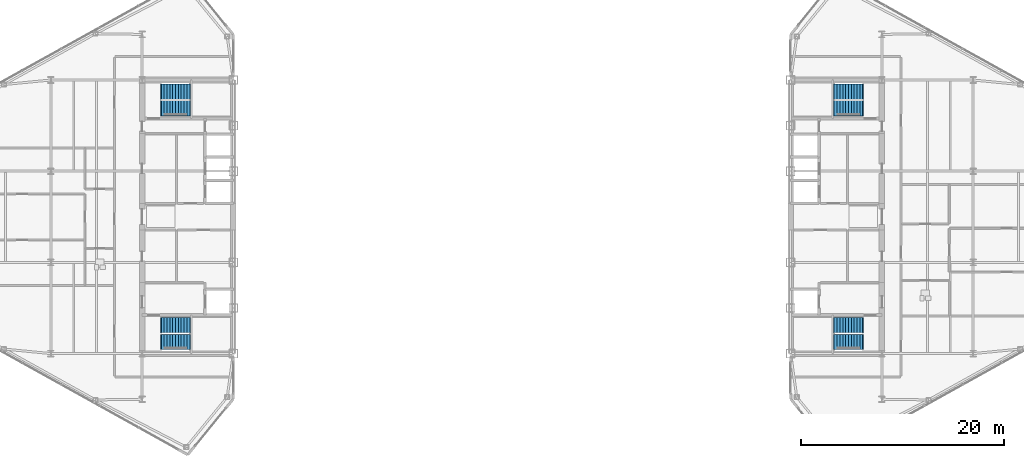
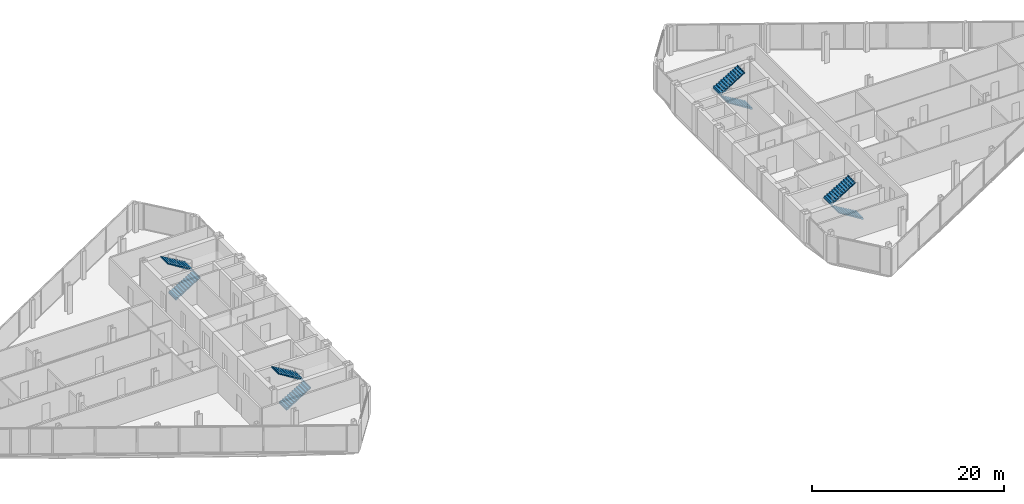
# One storey, part 23 of 25: 8 stair flights, 4 elements without a shape of their own.
"""IFC4 building model written with IfcOpenShell, lengths in metres."""

from ifc_helpers import new_model, si_unit, direction, frame, origin, place, context, subcontext, project, spatial, polyline, outline, extrude, material, type_object, element, aggregate, save


model = new_model("IFC4")

# Units and contexts
model_context = context("Model", 3, precision=1e-05, world=origin(), true_north=direction((0.0, 1.0)))
body_context = subcontext(model_context, "Body", "Model", "MODEL_VIEW")
ifc_project = project(units=[si_unit("LENGTHUNIT", "METRE"), si_unit("AREAUNIT", "SQUARE_METRE"), si_unit("VOLUMEUNIT", "CUBIC_METRE"), si_unit("PLANEANGLEUNIT", "RADIAN"), si_unit("MASSUNIT", "GRAM", prefix="KILO")], contexts=[model_context])

# Site, building, storey
site_placement = place(None, origin())
site = spatial("IfcSite", under=ifc_project, at=site_placement, CompositionType="ELEMENT")
building_placement = place(site_placement, origin())
building = spatial("IfcBuilding", under=site, at=building_placement, Name="Seokmaru Belvedere", CompositionType="ELEMENT")
storey_placement = place(building_placement, frame((0.0, 0.0, 188.699951171875)))
storey = spatial("IfcBuildingStorey", under=building, at=storey_placement, Name="L50", CompositionType="ELEMENT", Elevation=188.699951171875)

# Stair, stair flights
ifc_material = material(Name="Concrete C40 (40 MPa)", Category="concrete")
stair_type = type_object("IfcStairType", Name="Typical Tower Core Dog-Leg Stair 3600", PredefinedType="TWO_STRAIGHT_RUN_STAIR", material=ifc_material)
stair_1_placement = place(storey_placement, origin())
stair_1 = element("IfcStair", 1, at=stair_1_placement, inside=storey, type_object=stair_type, Name="L50 Special Escape Stair ST-W1", PredefinedType="TWO_STRAIGHT_RUN_STAIR")
stair_flight_type = type_object("IfcStairFlightType", Name="Reinforced Concrete Stair Flight 1500", PredefinedType="STRAIGHT", material=ifc_material)
stair_flight_1_placement = place(storey_placement, frame((-34.60009765625, -12.35009765625, 0.0), z_axis=(0.0, 0.0, 1.0), x_axis=(1.0, 0.0, 0.0)))
stair_flight_1 = element("IfcStairFlight", 2, at=stair_flight_1_placement, type_object=stair_flight_type, Name="ST-W1 flight 1", NumberOfRisers=11, NumberOfTreads=10, PredefinedType="STRAIGHT", RiserHeight=0.163636364, TreadLength=0.28, context=body_context, shape_type="SweptSolid", body=[
    extrude(outline(polyline([(-0.080078125, 0.0), (0.0, 0.16357421875), (0.280029296875, 0.16357421875), (0.280029296875, 0.327392578125), (0.56005859375, 0.327392578125), (0.56005859375, 0.490966796875), (0.840087890625, 0.490966796875), (0.840087890625, 0.654541015625), (1.1201171875, 0.654541015625), (1.1201171875, 0.818115234375), (1.39990234375, 0.818115234375), (1.39990234375, 0.98193359375), (1.679931640625, 0.98193359375), (1.679931640625, 1.1455078125), (1.9599609375, 1.1455078125), (1.9599609375, 1.30908203125), (2.239990234375, 1.30908203125), (2.239990234375, 1.47265625), (2.52001953125, 1.47265625), (2.52001953125, 1.636474609375), (2.800048828125, 1.636474609375), (2.800048828125, 1.800048828125), (2.8798828125, 1.800048828125), (2.8798828125, 1.610107421875), (2.800048828125, 1.610107421875), (0.0, -0.159912109375), (-0.080078125, -0.159912109375), (-0.080078125, 0.0)])), frame((0.0, 0.75, 0.0), z_axis=(0.0, -1.0, 0.0), x_axis=(1.0, 0.0, 0.0)), (0.0, 0.0, 1.0), 1.5),
])
stair_flight_2_placement = place(storey_placement, frame((-31.800048828125, -10.7099609375, 1.800048828125), z_axis=(0.0, 0.0, 1.0), x_axis=(-1.0, 0.0, 0.0)))
stair_flight_2 = element("IfcStairFlight", 3, at=stair_flight_2_placement, type_object=stair_flight_type, Name="ST-W1 flight 2", NumberOfRisers=11, NumberOfTreads=10, PredefinedType="STRAIGHT", RiserHeight=0.163636364, TreadLength=0.28, context=body_context, shape_type="SweptSolid", body=[
    extrude(outline(polyline([(-0.080078125, 0.0), (0.0, 0.16357421875), (0.280029296875, 0.16357421875), (0.280029296875, 0.327392578125), (0.56005859375, 0.327392578125), (0.56005859375, 0.490966796875), (0.840087890625, 0.490966796875), (0.840087890625, 0.654541015625), (1.1201171875, 0.654541015625), (1.1201171875, 0.818115234375), (1.39990234375, 0.818115234375), (1.39990234375, 0.98193359375), (1.679931640625, 0.98193359375), (1.679931640625, 1.1455078125), (1.9599609375, 1.1455078125), (1.9599609375, 1.30908203125), (2.239990234375, 1.30908203125), (2.239990234375, 1.47265625), (2.52001953125, 1.47265625), (2.52001953125, 1.636474609375), (2.800048828125, 1.636474609375), (2.800048828125, 1.800048828125), (2.8798828125, 1.800048828125), (2.8798828125, 1.610107421875), (2.800048828125, 1.610107421875), (0.0, -0.159912109375), (-0.080078125, -0.159912109375), (-0.080078125, 0.0)])), frame((0.0, 0.75, 0.0), z_axis=(0.0, -1.0, 0.0), x_axis=(1.0, 0.0, 0.0)), (0.0, 0.0, 1.0), 1.5),
])
aggregate(stair_1, [stair_flight_1, stair_flight_2])

stair_2_placement = place(storey_placement, origin())
stair_2 = element("IfcStair", 4, at=stair_2_placement, inside=storey, type_object=stair_type, Name="L50 Special Escape Stair ST-W2", PredefinedType="TWO_STRAIGHT_RUN_STAIR")
stair_flight_3_placement = place(storey_placement, frame((-34.60009765625, 10.7099609375, 0.0), z_axis=(0.0, 0.0, 1.0), x_axis=(1.0, 0.0, 0.0)))
stair_flight_3 = element("IfcStairFlight", 5, at=stair_flight_3_placement, type_object=stair_flight_type, Name="ST-W2 flight 1", NumberOfRisers=11, NumberOfTreads=10, PredefinedType="STRAIGHT", RiserHeight=0.163636364, TreadLength=0.28, context=body_context, shape_type="SweptSolid", body=[
    extrude(outline(polyline([(-0.080078125, 0.0), (0.0, 0.16357421875), (0.280029296875, 0.16357421875), (0.280029296875, 0.327392578125), (0.56005859375, 0.327392578125), (0.56005859375, 0.490966796875), (0.840087890625, 0.490966796875), (0.840087890625, 0.654541015625), (1.1201171875, 0.654541015625), (1.1201171875, 0.818115234375), (1.39990234375, 0.818115234375), (1.39990234375, 0.98193359375), (1.679931640625, 0.98193359375), (1.679931640625, 1.1455078125), (1.9599609375, 1.1455078125), (1.9599609375, 1.30908203125), (2.239990234375, 1.30908203125), (2.239990234375, 1.47265625), (2.52001953125, 1.47265625), (2.52001953125, 1.636474609375), (2.800048828125, 1.636474609375), (2.800048828125, 1.800048828125), (2.8798828125, 1.800048828125), (2.8798828125, 1.610107421875), (2.800048828125, 1.610107421875), (0.0, -0.159912109375), (-0.080078125, -0.159912109375), (-0.080078125, 0.0)])), frame((0.0, 0.75, 0.0), z_axis=(0.0, -1.0, 0.0), x_axis=(1.0, 0.0, 0.0)), (0.0, 0.0, 1.0), 1.5),
])
stair_flight_4_placement = place(storey_placement, frame((-31.800048828125, 12.35009765625, 1.800048828125), z_axis=(0.0, 0.0, 1.0), x_axis=(-1.0, 0.0, 0.0)))
stair_flight_4 = element("IfcStairFlight", 6, at=stair_flight_4_placement, type_object=stair_flight_type, Name="ST-W2 flight 2", NumberOfRisers=11, NumberOfTreads=10, PredefinedType="STRAIGHT", RiserHeight=0.163636364, TreadLength=0.28, context=body_context, shape_type="SweptSolid", body=[
    extrude(outline(polyline([(-0.080078125, 0.0), (0.0, 0.16357421875), (0.280029296875, 0.16357421875), (0.280029296875, 0.327392578125), (0.56005859375, 0.327392578125), (0.56005859375, 0.490966796875), (0.840087890625, 0.490966796875), (0.840087890625, 0.654541015625), (1.1201171875, 0.654541015625), (1.1201171875, 0.818115234375), (1.39990234375, 0.818115234375), (1.39990234375, 0.98193359375), (1.679931640625, 0.98193359375), (1.679931640625, 1.1455078125), (1.9599609375, 1.1455078125), (1.9599609375, 1.30908203125), (2.239990234375, 1.30908203125), (2.239990234375, 1.47265625), (2.52001953125, 1.47265625), (2.52001953125, 1.636474609375), (2.800048828125, 1.636474609375), (2.800048828125, 1.800048828125), (2.8798828125, 1.800048828125), (2.8798828125, 1.610107421875), (2.800048828125, 1.610107421875), (0.0, -0.159912109375), (-0.080078125, -0.159912109375), (-0.080078125, 0.0)])), frame((0.0, 0.75, 0.0), z_axis=(0.0, -1.0, 0.0), x_axis=(1.0, 0.0, 0.0)), (0.0, 0.0, 1.0), 1.5),
])
aggregate(stair_2, [stair_flight_3, stair_flight_4])

stair_3_placement = place(storey_placement, origin())
stair_3 = element("IfcStair", 7, at=stair_3_placement, inside=storey, type_object=stair_type, Name="L50 Special Escape Stair ST-E1", PredefinedType="TWO_STRAIGHT_RUN_STAIR")
stair_flight_5_placement = place(storey_placement, frame((34.60009765625, -12.35009765625, 0.0), z_axis=(0.0, 0.0, 1.0), x_axis=(-1.0, 0.0, 0.0)))
stair_flight_5 = element("IfcStairFlight", 8, at=stair_flight_5_placement, type_object=stair_flight_type, Name="ST-E1 flight 1", NumberOfRisers=11, NumberOfTreads=10, PredefinedType="STRAIGHT", RiserHeight=0.163636364, TreadLength=0.28, context=body_context, shape_type="SweptSolid", body=[
    extrude(outline(polyline([(-0.080078125, 0.0), (0.0, 0.16357421875), (0.280029296875, 0.16357421875), (0.280029296875, 0.327392578125), (0.56005859375, 0.327392578125), (0.56005859375, 0.490966796875), (0.840087890625, 0.490966796875), (0.840087890625, 0.654541015625), (1.1201171875, 0.654541015625), (1.1201171875, 0.818115234375), (1.39990234375, 0.818115234375), (1.39990234375, 0.98193359375), (1.679931640625, 0.98193359375), (1.679931640625, 1.1455078125), (1.9599609375, 1.1455078125), (1.9599609375, 1.30908203125), (2.239990234375, 1.30908203125), (2.239990234375, 1.47265625), (2.52001953125, 1.47265625), (2.52001953125, 1.636474609375), (2.800048828125, 1.636474609375), (2.800048828125, 1.800048828125), (2.8798828125, 1.800048828125), (2.8798828125, 1.610107421875), (2.800048828125, 1.610107421875), (0.0, -0.159912109375), (-0.080078125, -0.159912109375), (-0.080078125, 0.0)])), frame((0.0, 0.75, 0.0), z_axis=(0.0, -1.0, 0.0), x_axis=(1.0, 0.0, 0.0)), (0.0, 0.0, 1.0), 1.5),
])
stair_flight_6_placement = place(storey_placement, frame((31.800048828125, -10.7099609375, 1.800048828125), z_axis=(0.0, 0.0, 1.0), x_axis=(1.0, 0.0, 0.0)))
stair_flight_6 = element("IfcStairFlight", 9, at=stair_flight_6_placement, type_object=stair_flight_type, Name="ST-E1 flight 2", NumberOfRisers=11, NumberOfTreads=10, PredefinedType="STRAIGHT", RiserHeight=0.163636364, TreadLength=0.28, context=body_context, shape_type="SweptSolid", body=[
    extrude(outline(polyline([(-0.080078125, 0.0), (0.0, 0.16357421875), (0.280029296875, 0.16357421875), (0.280029296875, 0.327392578125), (0.56005859375, 0.327392578125), (0.56005859375, 0.490966796875), (0.840087890625, 0.490966796875), (0.840087890625, 0.654541015625), (1.1201171875, 0.654541015625), (1.1201171875, 0.818115234375), (1.39990234375, 0.818115234375), (1.39990234375, 0.98193359375), (1.679931640625, 0.98193359375), (1.679931640625, 1.1455078125), (1.9599609375, 1.1455078125), (1.9599609375, 1.30908203125), (2.239990234375, 1.30908203125), (2.239990234375, 1.47265625), (2.52001953125, 1.47265625), (2.52001953125, 1.636474609375), (2.800048828125, 1.636474609375), (2.800048828125, 1.800048828125), (2.8798828125, 1.800048828125), (2.8798828125, 1.610107421875), (2.800048828125, 1.610107421875), (0.0, -0.159912109375), (-0.080078125, -0.159912109375), (-0.080078125, 0.0)])), frame((0.0, 0.75, 0.0), z_axis=(0.0, -1.0, 0.0), x_axis=(1.0, 0.0, 0.0)), (0.0, 0.0, 1.0), 1.5),
])
aggregate(stair_3, [stair_flight_5, stair_flight_6])

stair_4_placement = place(storey_placement, origin())
stair_4 = element("IfcStair", 10, at=stair_4_placement, inside=storey, type_object=stair_type, Name="L50 Special Escape Stair ST-E2", PredefinedType="TWO_STRAIGHT_RUN_STAIR")
stair_flight_7_placement = place(storey_placement, frame((34.60009765625, 10.7099609375, 0.0), z_axis=(0.0, 0.0, 1.0), x_axis=(-1.0, 0.0, 0.0)))
stair_flight_7 = element("IfcStairFlight", 11, at=stair_flight_7_placement, type_object=stair_flight_type, Name="ST-E2 flight 1", NumberOfRisers=11, NumberOfTreads=10, PredefinedType="STRAIGHT", RiserHeight=0.163636364, TreadLength=0.28, context=body_context, shape_type="SweptSolid", body=[
    extrude(outline(polyline([(-0.080078125, 0.0), (0.0, 0.16357421875), (0.280029296875, 0.16357421875), (0.280029296875, 0.327392578125), (0.56005859375, 0.327392578125), (0.56005859375, 0.490966796875), (0.840087890625, 0.490966796875), (0.840087890625, 0.654541015625), (1.1201171875, 0.654541015625), (1.1201171875, 0.818115234375), (1.39990234375, 0.818115234375), (1.39990234375, 0.98193359375), (1.679931640625, 0.98193359375), (1.679931640625, 1.1455078125), (1.9599609375, 1.1455078125), (1.9599609375, 1.30908203125), (2.239990234375, 1.30908203125), (2.239990234375, 1.47265625), (2.52001953125, 1.47265625), (2.52001953125, 1.636474609375), (2.800048828125, 1.636474609375), (2.800048828125, 1.800048828125), (2.8798828125, 1.800048828125), (2.8798828125, 1.610107421875), (2.800048828125, 1.610107421875), (0.0, -0.159912109375), (-0.080078125, -0.159912109375), (-0.080078125, 0.0)])), frame((0.0, 0.75, 0.0), z_axis=(0.0, -1.0, 0.0), x_axis=(1.0, 0.0, 0.0)), (0.0, 0.0, 1.0), 1.5),
])
stair_flight_8_placement = place(storey_placement, frame((31.800048828125, 12.35009765625, 1.800048828125), z_axis=(0.0, 0.0, 1.0), x_axis=(1.0, 0.0, 0.0)))
stair_flight_8 = element("IfcStairFlight", 12, at=stair_flight_8_placement, type_object=stair_flight_type, Name="ST-E2 flight 2", NumberOfRisers=11, NumberOfTreads=10, PredefinedType="STRAIGHT", RiserHeight=0.163636364, TreadLength=0.28, context=body_context, shape_type="SweptSolid", body=[
    extrude(outline(polyline([(-0.080078125, 0.0), (0.0, 0.16357421875), (0.280029296875, 0.16357421875), (0.280029296875, 0.327392578125), (0.56005859375, 0.327392578125), (0.56005859375, 0.490966796875), (0.840087890625, 0.490966796875), (0.840087890625, 0.654541015625), (1.1201171875, 0.654541015625), (1.1201171875, 0.818115234375), (1.39990234375, 0.818115234375), (1.39990234375, 0.98193359375), (1.679931640625, 0.98193359375), (1.679931640625, 1.1455078125), (1.9599609375, 1.1455078125), (1.9599609375, 1.30908203125), (2.239990234375, 1.30908203125), (2.239990234375, 1.47265625), (2.52001953125, 1.47265625), (2.52001953125, 1.636474609375), (2.800048828125, 1.636474609375), (2.800048828125, 1.800048828125), (2.8798828125, 1.800048828125), (2.8798828125, 1.610107421875), (2.800048828125, 1.610107421875), (0.0, -0.159912109375), (-0.080078125, -0.159912109375), (-0.080078125, 0.0)])), frame((0.0, 0.75, 0.0), z_axis=(0.0, -1.0, 0.0), x_axis=(1.0, 0.0, 0.0)), (0.0, 0.0, 1.0), 1.5),
])
aggregate(stair_4, [stair_flight_7, stair_flight_8])

save(model, "model.ifc")
